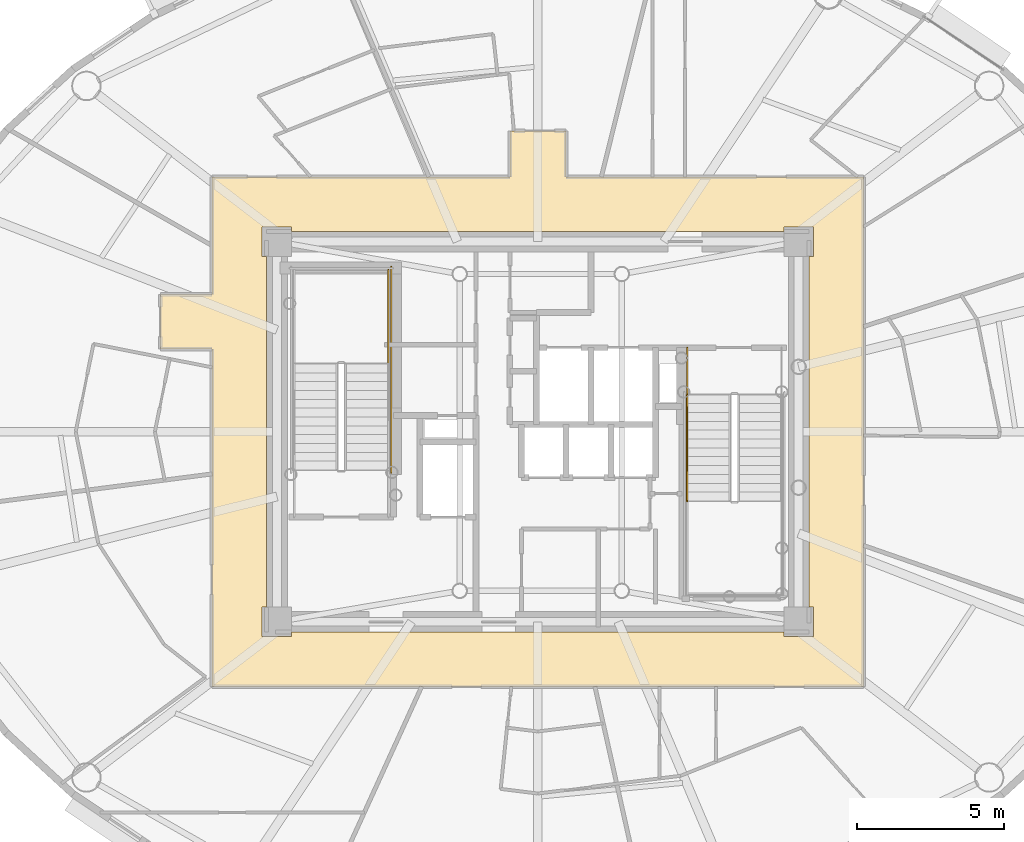
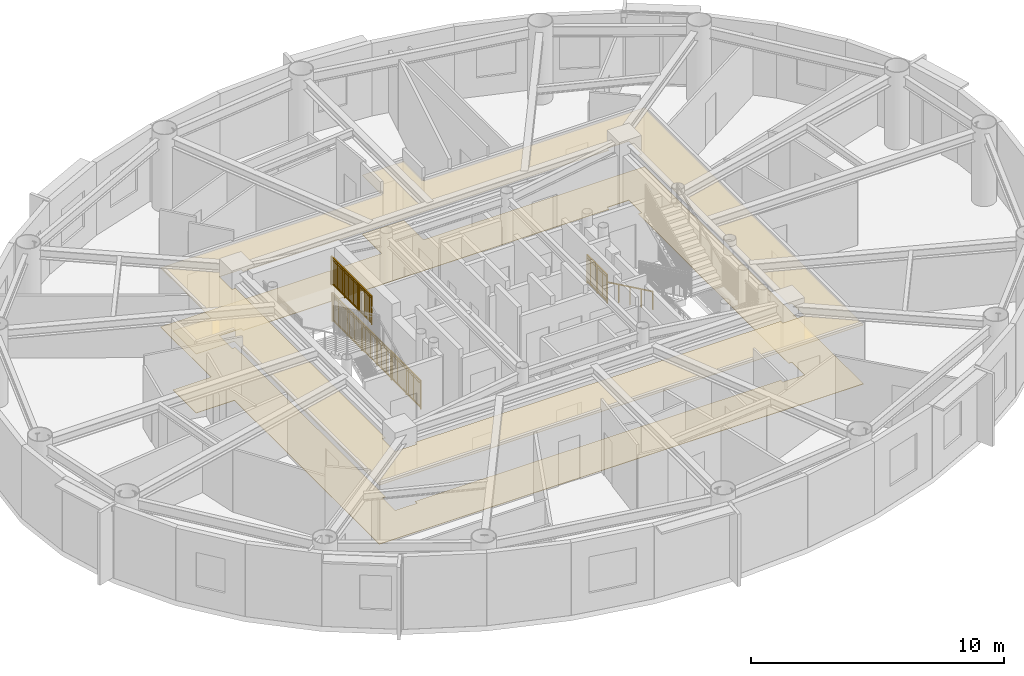
# One storey, part 15 of 17: 4 railings, 2 coverings.
"""IFC4 building model written with IfcOpenShell, lengths in metres."""

from ifc_helpers import new_model, si_unit, direction, frame, origin, origin_2d, place, context, subcontext, project, spatial, polyline, rectangle, outline, extrude, source, transform, mapped, material, layer, layer_set, type_object, element, save


model = new_model("IFC4")

# Units and contexts
model_context = context("Model", 3, precision=1e-05, world=origin(), true_north=direction((0.0, 1.0)))
body_context = subcontext(model_context, "Body", "Model", "MODEL_VIEW")
ifc_project = project(units=[si_unit("LENGTHUNIT", "METRE"), si_unit("AREAUNIT", "SQUARE_METRE"), si_unit("VOLUMEUNIT", "CUBIC_METRE"), si_unit("PLANEANGLEUNIT", "RADIAN"), si_unit("MASSUNIT", "GRAM", prefix="KILO")], contexts=[model_context])

# Site, building, storey
site_placement = place(None, origin())
site = spatial("IfcSite", under=ifc_project, at=site_placement, CompositionType="ELEMENT")
building_placement = place(site_placement, origin())
building = spatial("IfcBuilding", under=site, at=building_placement, Name="Linh Dai School and Residence Tower", CompositionType="ELEMENT")
storey_placement = place(building_placement, frame((0.0, 0.0, 303.0)))
storey = spatial("IfcBuildingStorey", under=building, at=storey_placement, Name="L75", CompositionType="ELEMENT", Elevation=303.0)

# Coverings
ifc_material_1 = material(Name="Mineral Fibre Acoustic Suspended Ceiling", Category="masonry")
ifc_layer_1 = layer(ifc_material_1, 0.02001953125)
ifc_layer_set_1 = layer_set([ifc_layer_1], Name="Mineral Fibre Acoustic Suspended Ceiling")
covering_type_1 = type_object("IfcCoveringType", Name="COV-CEIL-AC-20", PredefinedType="CEILING", material=ifc_layer_set_1)
covering_1_placement = place(storey_placement, frame((0.0, 0.0, 2.85009765625)))
element("IfcCovering", 1, at=covering_1_placement, inside=storey, type_object=covering_type_1, Name="L75 Residential Floor Corridor Suspended Ceiling", PredefinedType="CEILING", context=body_context, shape_type="SweptSolid", body=[
    extrude(outline(polyline([(23.199951171875, 31.64990234375), (24.949951171875, 31.64990234375), (24.949951171875, 35.64990234375), (35.050048828125, 35.64990234375), (35.050048828125, 37.199951171875), (36.949951171875, 37.199951171875), (36.949951171875, 35.64990234375), (47.050048828125, 35.64990234375), (47.050048828125, 18.35009765625), (24.949951171875, 18.35009765625), (24.949951171875, 29.800048828125), (23.199951171875, 29.800048828125), (23.199951171875, 31.64990234375)]), holes=[polyline([(27.64990234375, 33.800048828125), (27.64990234375, 33.949951171875), (26.64990234375, 33.949951171875), (26.64990234375, 32.949951171875), (26.800048828125, 32.949951171875), (26.800048828125, 21.050048828125), (26.64990234375, 21.050048828125), (26.64990234375, 20.050048828125), (27.64990234375, 20.050048828125), (27.64990234375, 20.199951171875), (44.35009765625, 20.199951171875), (44.35009765625, 20.050048828125), (45.35009765625, 20.050048828125), (45.35009765625, 21.050048828125), (45.199951171875, 21.050048828125), (45.199951171875, 32.949951171875), (45.35009765625, 32.949951171875), (45.35009765625, 33.949951171875), (44.35009765625, 33.949951171875), (44.35009765625, 33.800048828125), (27.64990234375, 33.800048828125)])]), origin(), (0.0, 0.0, 1.0), 0.02001953125),
])
ifc_material_2 = material(Name="Polished Terrazzo Floor Finish", Category="masonry")
ifc_layer_2 = layer(ifc_material_2, 0.02490234375)
ifc_layer_set_2 = layer_set([ifc_layer_2], Name="Polished Terrazzo Floor Finish")
covering_type_2 = type_object("IfcCoveringType", Name="COV-FLR-TRZ-25", PredefinedType="FLOORING", material=ifc_layer_set_2)
covering_2_placement = place(storey_placement, origin())
element("IfcCovering", 2, at=covering_2_placement, inside=storey, type_object=covering_type_2, Name="L75 Residential Floor Corridor Floor Finish", PredefinedType="FLOORING", context=body_context, shape_type="SweptSolid", body=[
    extrude(outline(polyline([(23.199951171875, 31.64990234375), (24.949951171875, 31.64990234375), (24.949951171875, 35.64990234375), (35.050048828125, 35.64990234375), (35.050048828125, 37.199951171875), (36.949951171875, 37.199951171875), (36.949951171875, 35.64990234375), (47.050048828125, 35.64990234375), (47.050048828125, 18.35009765625), (24.949951171875, 18.35009765625), (24.949951171875, 29.800048828125), (23.199951171875, 29.800048828125), (23.199951171875, 31.64990234375)]), holes=[polyline([(27.64990234375, 33.800048828125), (27.64990234375, 33.949951171875), (26.64990234375, 33.949951171875), (26.64990234375, 32.949951171875), (26.800048828125, 32.949951171875), (26.800048828125, 21.050048828125), (26.64990234375, 21.050048828125), (26.64990234375, 20.050048828125), (27.64990234375, 20.050048828125), (27.64990234375, 20.199951171875), (44.35009765625, 20.199951171875), (44.35009765625, 20.050048828125), (45.35009765625, 20.050048828125), (45.35009765625, 21.050048828125), (45.199951171875, 21.050048828125), (45.199951171875, 32.949951171875), (45.35009765625, 32.949951171875), (45.35009765625, 33.949951171875), (44.35009765625, 33.949951171875), (44.35009765625, 33.800048828125), (27.64990234375, 33.800048828125)])]), origin(), (0.0, 0.0, 1.0), 0.02001953125),
])

# Railings
ifc_material_3 = material(Name="Structural Steel S355JR", Category="steel")
railing_type_1 = type_object("IfcRailingType", Name="RL-ST-GUARD-1400", PredefinedType="GUARDRAIL", material=ifc_material_3)
shared_shape_1 = source(origin(), body_context, "Body", "SweptSolid", [
    extrude(rectangle(XDim=0.048095703125, YDim=0.048095703125, at=origin_2d()), frame((0.0, 0.0, 1.3759765625), z_axis=(0.0, 1.0, 0.0), x_axis=(-1.0, 0.0, 0.0)), (0.0, 0.0, 1.0), 7.0),
    extrude(rectangle(XDim=0.048095703125, YDim=0.048095703125, at=origin_2d()), frame((0.0, 0.0, 0.10009765625), z_axis=(0.0, 1.0, 0.0), x_axis=(-1.0, 0.0, 0.0)), (0.0, 0.0, 1.0), 7.0),
    extrude(rectangle(XDim=0.030029296875, YDim=0.030029296875, at=origin_2d()), frame((0.0, 0.0, 1.239990234375), z_axis=(0.0, 1.0, 0.0), x_axis=(-1.0, 0.0, 0.0)), (0.0, 0.0, 1.0), 7.0),
    extrude(rectangle(XDim=0.02001953125, YDim=0.02001953125, at=origin_2d()), frame((0.0, 0.09716796875, 0.10009765625)), (0.0, 0.0, 1.0), 1.251708984375),
    extrude(rectangle(XDim=0.02001953125, YDim=0.02001953125, at=origin_2d()), frame((0.0, 0.1943359375, 0.10009765625)), (0.0, 0.0, 1.0), 1.251708984375),
    extrude(rectangle(XDim=0.02001953125, YDim=0.02001953125, at=origin_2d()), frame((0.0, 0.291748046875, 0.10009765625)), (0.0, 0.0, 1.0), 1.251708984375),
    extrude(rectangle(XDim=0.02001953125, YDim=0.02001953125, at=origin_2d()), frame((0.0, 0.388916015625, 0.10009765625)), (0.0, 0.0, 1.0), 1.251708984375),
    extrude(rectangle(XDim=0.02001953125, YDim=0.02001953125, at=origin_2d()), frame((0.0, 0.486083984375, 0.10009765625)), (0.0, 0.0, 1.0), 1.251708984375),
    extrude(rectangle(XDim=0.02001953125, YDim=0.02001953125, at=origin_2d()), frame((0.0, 0.583251953125, 0.10009765625)), (0.0, 0.0, 1.0), 1.251708984375),
    extrude(rectangle(XDim=0.02001953125, YDim=0.02001953125, at=origin_2d()), frame((0.0, 0.6806640625, 0.10009765625)), (0.0, 0.0, 1.0), 1.251708984375),
    extrude(rectangle(XDim=0.02001953125, YDim=0.02001953125, at=origin_2d()), frame((0.0, 0.77783203125, 0.10009765625)), (0.0, 0.0, 1.0), 1.251708984375),
    extrude(rectangle(XDim=0.02001953125, YDim=0.02001953125, at=origin_2d()), frame((0.0, 0.875, 0.10009765625)), (0.0, 0.0, 1.0), 1.251708984375),
    extrude(rectangle(XDim=0.02001953125, YDim=0.02001953125, at=origin_2d()), frame((0.0, 0.97216796875, 0.10009765625)), (0.0, 0.0, 1.0), 1.251708984375),
    extrude(rectangle(XDim=0.02001953125, YDim=0.02001953125, at=origin_2d()), frame((0.0, 1.0693359375, 0.10009765625)), (0.0, 0.0, 1.0), 1.251708984375),
    extrude(rectangle(XDim=0.02001953125, YDim=0.02001953125, at=origin_2d()), frame((0.0, 1.263916015625, 0.10009765625)), (0.0, 0.0, 1.0), 1.251708984375),
    extrude(rectangle(XDim=0.02001953125, YDim=0.02001953125, at=origin_2d()), frame((0.0, 1.361083984375, 0.10009765625)), (0.0, 0.0, 1.0), 1.251708984375),
    extrude(rectangle(XDim=0.02001953125, YDim=0.02001953125, at=origin_2d()), frame((0.0, 1.458251953125, 0.10009765625)), (0.0, 0.0, 1.0), 1.251708984375),
    extrude(rectangle(XDim=0.02001953125, YDim=0.02001953125, at=origin_2d()), frame((0.0, 1.5556640625, 0.10009765625)), (0.0, 0.0, 1.0), 1.251708984375),
    extrude(rectangle(XDim=0.02001953125, YDim=0.02001953125, at=origin_2d()), frame((0.0, 1.65283203125, 0.10009765625)), (0.0, 0.0, 1.0), 1.251708984375),
    extrude(rectangle(XDim=0.02001953125, YDim=0.02001953125, at=origin_2d()), frame((0.0, 1.75, 0.10009765625)), (0.0, 0.0, 1.0), 1.251708984375),
    extrude(rectangle(XDim=0.02001953125, YDim=0.02001953125, at=origin_2d()), frame((0.0, 1.84716796875, 0.10009765625)), (0.0, 0.0, 1.0), 1.251708984375),
    extrude(rectangle(XDim=0.02001953125, YDim=0.02001953125, at=origin_2d()), frame((0.0, 1.9443359375, 0.10009765625)), (0.0, 0.0, 1.0), 1.251708984375),
    extrude(rectangle(XDim=0.02001953125, YDim=0.02001953125, at=origin_2d()), frame((0.0, 2.041748046875, 0.10009765625)), (0.0, 0.0, 1.0), 1.251708984375),
    extrude(rectangle(XDim=0.02001953125, YDim=0.02001953125, at=origin_2d()), frame((0.0, 2.138916015625, 0.10009765625)), (0.0, 0.0, 1.0), 1.251708984375),
    extrude(rectangle(XDim=0.02001953125, YDim=0.02001953125, at=origin_2d()), frame((0.0, 2.236083984375, 0.10009765625)), (0.0, 0.0, 1.0), 1.251708984375),
    extrude(rectangle(XDim=0.02001953125, YDim=0.02001953125, at=origin_2d()), frame((0.0, 2.4306640625, 0.10009765625)), (0.0, 0.0, 1.0), 1.251708984375),
    extrude(rectangle(XDim=0.02001953125, YDim=0.02001953125, at=origin_2d()), frame((0.0, 2.52783203125, 0.10009765625)), (0.0, 0.0, 1.0), 1.251708984375),
    extrude(rectangle(XDim=0.02001953125, YDim=0.02001953125, at=origin_2d()), frame((0.0, 2.625, 0.10009765625)), (0.0, 0.0, 1.0), 1.251708984375),
    extrude(rectangle(XDim=0.02001953125, YDim=0.02001953125, at=origin_2d()), frame((0.0, 2.72216796875, 0.10009765625)), (0.0, 0.0, 1.0), 1.251708984375),
    extrude(rectangle(XDim=0.02001953125, YDim=0.02001953125, at=origin_2d()), frame((0.0, 2.8193359375, 0.10009765625)), (0.0, 0.0, 1.0), 1.251708984375),
    extrude(rectangle(XDim=0.02001953125, YDim=0.02001953125, at=origin_2d()), frame((0.0, 2.916748046875, 0.10009765625)), (0.0, 0.0, 1.0), 1.251708984375),
    extrude(rectangle(XDim=0.02001953125, YDim=0.02001953125, at=origin_2d()), frame((0.0, 3.013916015625, 0.10009765625)), (0.0, 0.0, 1.0), 1.251708984375),
    extrude(rectangle(XDim=0.02001953125, YDim=0.02001953125, at=origin_2d()), frame((0.0, 3.111083984375, 0.10009765625)), (0.0, 0.0, 1.0), 1.251708984375),
    extrude(rectangle(XDim=0.02001953125, YDim=0.02001953125, at=origin_2d()), frame((0.0, 3.208251953125, 0.10009765625)), (0.0, 0.0, 1.0), 1.251708984375),
    extrude(rectangle(XDim=0.02001953125, YDim=0.02001953125, at=origin_2d()), frame((0.0, 3.3056640625, 0.10009765625)), (0.0, 0.0, 1.0), 1.251708984375),
    extrude(rectangle(XDim=0.02001953125, YDim=0.02001953125, at=origin_2d()), frame((0.0, 3.40283203125, 0.10009765625)), (0.0, 0.0, 1.0), 1.251708984375),
    extrude(rectangle(XDim=0.02001953125, YDim=0.02001953125, at=origin_2d()), frame((0.0, 3.59716796875, 0.10009765625)), (0.0, 0.0, 1.0), 1.251708984375),
    extrude(rectangle(XDim=0.02001953125, YDim=0.02001953125, at=origin_2d()), frame((0.0, 3.6943359375, 0.10009765625)), (0.0, 0.0, 1.0), 1.251708984375),
    extrude(rectangle(XDim=0.02001953125, YDim=0.02001953125, at=origin_2d()), frame((0.0, 3.791748046875, 0.10009765625)), (0.0, 0.0, 1.0), 1.251708984375),
    extrude(rectangle(XDim=0.02001953125, YDim=0.02001953125, at=origin_2d()), frame((0.0, 3.888916015625, 0.10009765625)), (0.0, 0.0, 1.0), 1.251708984375),
    extrude(rectangle(XDim=0.02001953125, YDim=0.02001953125, at=origin_2d()), frame((0.0, 3.986083984375, 0.10009765625)), (0.0, 0.0, 1.0), 1.251708984375),
    extrude(rectangle(XDim=0.02001953125, YDim=0.02001953125, at=origin_2d()), frame((0.0, 4.083251953125, 0.10009765625)), (0.0, 0.0, 1.0), 1.251708984375),
    extrude(rectangle(XDim=0.02001953125, YDim=0.02001953125, at=origin_2d()), frame((0.0, 4.1806640625, 0.10009765625)), (0.0, 0.0, 1.0), 1.251708984375),
    extrude(rectangle(XDim=0.02001953125, YDim=0.02001953125, at=origin_2d()), frame((0.0, 4.27783203125, 0.10009765625)), (0.0, 0.0, 1.0), 1.251708984375),
    extrude(rectangle(XDim=0.02001953125, YDim=0.02001953125, at=origin_2d()), frame((0.0, 4.375, 0.10009765625)), (0.0, 0.0, 1.0), 1.251708984375),
    extrude(rectangle(XDim=0.02001953125, YDim=0.02001953125, at=origin_2d()), frame((0.0, 4.47216796875, 0.10009765625)), (0.0, 0.0, 1.0), 1.251708984375),
    extrude(rectangle(XDim=0.02001953125, YDim=0.02001953125, at=origin_2d()), frame((0.0, 4.5693359375, 0.10009765625)), (0.0, 0.0, 1.0), 1.251708984375),
    extrude(rectangle(XDim=0.02001953125, YDim=0.02001953125, at=origin_2d()), frame((0.0, 4.763916015625, 0.10009765625)), (0.0, 0.0, 1.0), 1.251708984375),
    extrude(rectangle(XDim=0.02001953125, YDim=0.02001953125, at=origin_2d()), frame((0.0, 4.861083984375, 0.10009765625)), (0.0, 0.0, 1.0), 1.251708984375),
    extrude(rectangle(XDim=0.02001953125, YDim=0.02001953125, at=origin_2d()), frame((0.0, 4.958251953125, 0.10009765625)), (0.0, 0.0, 1.0), 1.251708984375),
    extrude(rectangle(XDim=0.02001953125, YDim=0.02001953125, at=origin_2d()), frame((0.0, 5.0556640625, 0.10009765625)), (0.0, 0.0, 1.0), 1.251708984375),
    extrude(rectangle(XDim=0.02001953125, YDim=0.02001953125, at=origin_2d()), frame((0.0, 5.15283203125, 0.10009765625)), (0.0, 0.0, 1.0), 1.251708984375),
    extrude(rectangle(XDim=0.02001953125, YDim=0.02001953125, at=origin_2d()), frame((0.0, 5.25, 0.10009765625)), (0.0, 0.0, 1.0), 1.251708984375),
    extrude(rectangle(XDim=0.02001953125, YDim=0.02001953125, at=origin_2d()), frame((0.0, 5.34716796875, 0.10009765625)), (0.0, 0.0, 1.0), 1.251708984375),
    extrude(rectangle(XDim=0.02001953125, YDim=0.02001953125, at=origin_2d()), frame((0.0, 5.4443359375, 0.10009765625)), (0.0, 0.0, 1.0), 1.251708984375),
    extrude(rectangle(XDim=0.02001953125, YDim=0.02001953125, at=origin_2d()), frame((0.0, 5.541748046875, 0.10009765625)), (0.0, 0.0, 1.0), 1.251708984375),
    extrude(rectangle(XDim=0.02001953125, YDim=0.02001953125, at=origin_2d()), frame((0.0, 5.638916015625, 0.10009765625)), (0.0, 0.0, 1.0), 1.251708984375),
    extrude(rectangle(XDim=0.02001953125, YDim=0.02001953125, at=origin_2d()), frame((0.0, 5.736083984375, 0.10009765625)), (0.0, 0.0, 1.0), 1.251708984375),
    extrude(rectangle(XDim=0.02001953125, YDim=0.02001953125, at=origin_2d()), frame((0.0, 5.9306640625, 0.10009765625)), (0.0, 0.0, 1.0), 1.251708984375),
    extrude(rectangle(XDim=0.02001953125, YDim=0.02001953125, at=origin_2d()), frame((0.0, 6.02783203125, 0.10009765625)), (0.0, 0.0, 1.0), 1.251708984375),
    extrude(rectangle(XDim=0.02001953125, YDim=0.02001953125, at=origin_2d()), frame((0.0, 6.125, 0.10009765625)), (0.0, 0.0, 1.0), 1.251708984375),
    extrude(rectangle(XDim=0.02001953125, YDim=0.02001953125, at=origin_2d()), frame((0.0, 6.22216796875, 0.10009765625)), (0.0, 0.0, 1.0), 1.251708984375),
    extrude(rectangle(XDim=0.02001953125, YDim=0.02001953125, at=origin_2d()), frame((0.0, 6.3193359375, 0.10009765625)), (0.0, 0.0, 1.0), 1.251708984375),
    extrude(rectangle(XDim=0.02001953125, YDim=0.02001953125, at=origin_2d()), frame((0.0, 6.416748046875, 0.10009765625)), (0.0, 0.0, 1.0), 1.251708984375),
    extrude(rectangle(XDim=0.02001953125, YDim=0.02001953125, at=origin_2d()), frame((0.0, 6.513916015625, 0.10009765625)), (0.0, 0.0, 1.0), 1.251708984375),
    extrude(rectangle(XDim=0.02001953125, YDim=0.02001953125, at=origin_2d()), frame((0.0, 6.611083984375, 0.10009765625)), (0.0, 0.0, 1.0), 1.251708984375),
    extrude(rectangle(XDim=0.02001953125, YDim=0.02001953125, at=origin_2d()), frame((0.0, 6.708251953125, 0.10009765625)), (0.0, 0.0, 1.0), 1.251708984375),
    extrude(rectangle(XDim=0.02001953125, YDim=0.02001953125, at=origin_2d()), frame((0.0, 6.8056640625, 0.10009765625)), (0.0, 0.0, 1.0), 1.251708984375),
    extrude(rectangle(XDim=0.02001953125, YDim=0.02001953125, at=origin_2d()), frame((0.0, 6.90283203125, 0.10009765625)), (0.0, 0.0, 1.0), 1.251708984375),
    extrude(rectangle(XDim=0.0419921875, YDim=0.0419921875, at=origin_2d()), origin(), (0.0, 0.0, 1.0), 1.3759765625),
    extrude(rectangle(XDim=0.0419921875, YDim=0.0419921875, at=origin_2d()), frame((0.0, 1.166748046875, 0.0)), (0.0, 0.0, 1.0), 1.3759765625),
    extrude(rectangle(XDim=0.0419921875, YDim=0.0419921875, at=origin_2d()), frame((0.0, 2.333251953125, 0.0)), (0.0, 0.0, 1.0), 1.3759765625),
    extrude(rectangle(XDim=0.0419921875, YDim=0.0419921875, at=origin_2d()), frame((0.0, 3.5, 0.0)), (0.0, 0.0, 1.0), 1.3759765625),
    extrude(rectangle(XDim=0.0419921875, YDim=0.0419921875, at=origin_2d()), frame((0.0, 4.666748046875, 0.0)), (0.0, 0.0, 1.0), 1.3759765625),
    extrude(rectangle(XDim=0.0419921875, YDim=0.0419921875, at=origin_2d()), frame((0.0, 5.833251953125, 0.0)), (0.0, 0.0, 1.0), 1.3759765625),
    extrude(rectangle(XDim=0.0419921875, YDim=0.0419921875, at=origin_2d()), frame((0.0, 7.0, 0.0)), (0.0, 0.0, 1.0), 1.3759765625),
])
railing_1_placement = place(storey_placement, frame((31.030029296875, 25.60009765625, 0.0)))
element("IfcRailing", 3, at=railing_1_placement, inside=storey, type_object=railing_type_1, Name="L75 ST1 stair guard 10", PredefinedType="GUARDRAIL", context=body_context, shape_type="MappedRepresentation", body=[
    mapped(shared_shape_1, transform((0.0, 0.0, 0.0), x_axis=(1.0, 0.0, 0.0), y_axis=(0.0, 1.0, 0.0), z_axis=(0.0, 0.0, 1.0), scale=1.0)),
])
shared_shape_2 = source(origin(), body_context, "Body", "SweptSolid", [
    extrude(rectangle(XDim=0.048095703125, YDim=0.048095703125, at=origin_2d()), frame((0.0, 0.0, 1.3759765625), z_axis=(0.0, 1.0, 0.0), x_axis=(-1.0, 0.0, 0.0)), (0.0, 0.0, 1.0), 3.199951171875),
    extrude(rectangle(XDim=0.048095703125, YDim=0.048095703125, at=origin_2d()), frame((0.0, 0.0, 0.10009765625), z_axis=(0.0, 1.0, 0.0), x_axis=(-1.0, 0.0, 0.0)), (0.0, 0.0, 1.0), 3.199951171875),
    extrude(rectangle(XDim=0.030029296875, YDim=0.030029296875, at=origin_2d()), frame((0.0, 0.0, 1.239990234375), z_axis=(0.0, 1.0, 0.0), x_axis=(-1.0, 0.0, 0.0)), (0.0, 0.0, 1.0), 3.199951171875),
    extrude(rectangle(XDim=0.02001953125, YDim=0.02001953125, at=origin_2d()), frame((0.0, 0.096923828125, 0.10009765625)), (0.0, 0.0, 1.0), 1.251708984375),
    extrude(rectangle(XDim=0.02001953125, YDim=0.02001953125, at=origin_2d()), frame((0.0, 0.19384765625, 0.10009765625)), (0.0, 0.0, 1.0), 1.251708984375),
    extrude(rectangle(XDim=0.02001953125, YDim=0.02001953125, at=origin_2d()), frame((0.0, 0.291015625, 0.10009765625)), (0.0, 0.0, 1.0), 1.251708984375),
    extrude(rectangle(XDim=0.02001953125, YDim=0.02001953125, at=origin_2d()), frame((0.0, 0.387939453125, 0.10009765625)), (0.0, 0.0, 1.0), 1.251708984375),
    extrude(rectangle(XDim=0.02001953125, YDim=0.02001953125, at=origin_2d()), frame((0.0, 0.48486328125, 0.10009765625)), (0.0, 0.0, 1.0), 1.251708984375),
    extrude(rectangle(XDim=0.02001953125, YDim=0.02001953125, at=origin_2d()), frame((0.0, 0.581787109375, 0.10009765625)), (0.0, 0.0, 1.0), 1.251708984375),
    extrude(rectangle(XDim=0.02001953125, YDim=0.02001953125, at=origin_2d()), frame((0.0, 0.6787109375, 0.10009765625)), (0.0, 0.0, 1.0), 1.251708984375),
    extrude(rectangle(XDim=0.02001953125, YDim=0.02001953125, at=origin_2d()), frame((0.0, 0.775634765625, 0.10009765625)), (0.0, 0.0, 1.0), 1.251708984375),
    extrude(rectangle(XDim=0.02001953125, YDim=0.02001953125, at=origin_2d()), frame((0.0, 0.872802734375, 0.10009765625)), (0.0, 0.0, 1.0), 1.251708984375),
    extrude(rectangle(XDim=0.02001953125, YDim=0.02001953125, at=origin_2d()), frame((0.0, 0.9697265625, 0.10009765625)), (0.0, 0.0, 1.0), 1.251708984375),
    extrude(rectangle(XDim=0.02001953125, YDim=0.02001953125, at=origin_2d()), frame((0.0, 1.16357421875, 0.10009765625)), (0.0, 0.0, 1.0), 1.251708984375),
    extrude(rectangle(XDim=0.02001953125, YDim=0.02001953125, at=origin_2d()), frame((0.0, 1.260498046875, 0.10009765625)), (0.0, 0.0, 1.0), 1.251708984375),
    extrude(rectangle(XDim=0.02001953125, YDim=0.02001953125, at=origin_2d()), frame((0.0, 1.357666015625, 0.10009765625)), (0.0, 0.0, 1.0), 1.251708984375),
    extrude(rectangle(XDim=0.02001953125, YDim=0.02001953125, at=origin_2d()), frame((0.0, 1.45458984375, 0.10009765625)), (0.0, 0.0, 1.0), 1.251708984375),
    extrude(rectangle(XDim=0.02001953125, YDim=0.02001953125, at=origin_2d()), frame((0.0, 1.551513671875, 0.10009765625)), (0.0, 0.0, 1.0), 1.251708984375),
    extrude(rectangle(XDim=0.02001953125, YDim=0.02001953125, at=origin_2d()), frame((0.0, 1.6484375, 0.10009765625)), (0.0, 0.0, 1.0), 1.251708984375),
    extrude(rectangle(XDim=0.02001953125, YDim=0.02001953125, at=origin_2d()), frame((0.0, 1.745361328125, 0.10009765625)), (0.0, 0.0, 1.0), 1.251708984375),
    extrude(rectangle(XDim=0.02001953125, YDim=0.02001953125, at=origin_2d()), frame((0.0, 1.84228515625, 0.10009765625)), (0.0, 0.0, 1.0), 1.251708984375),
    extrude(rectangle(XDim=0.02001953125, YDim=0.02001953125, at=origin_2d()), frame((0.0, 1.939453125, 0.10009765625)), (0.0, 0.0, 1.0), 1.251708984375),
    extrude(rectangle(XDim=0.02001953125, YDim=0.02001953125, at=origin_2d()), frame((0.0, 2.036376953125, 0.10009765625)), (0.0, 0.0, 1.0), 1.251708984375),
    extrude(rectangle(XDim=0.02001953125, YDim=0.02001953125, at=origin_2d()), frame((0.0, 2.230224609375, 0.10009765625)), (0.0, 0.0, 1.0), 1.251708984375),
    extrude(rectangle(XDim=0.02001953125, YDim=0.02001953125, at=origin_2d()), frame((0.0, 2.3271484375, 0.10009765625)), (0.0, 0.0, 1.0), 1.251708984375),
    extrude(rectangle(XDim=0.02001953125, YDim=0.02001953125, at=origin_2d()), frame((0.0, 2.42431640625, 0.10009765625)), (0.0, 0.0, 1.0), 1.251708984375),
    extrude(rectangle(XDim=0.02001953125, YDim=0.02001953125, at=origin_2d()), frame((0.0, 2.521240234375, 0.10009765625)), (0.0, 0.0, 1.0), 1.251708984375),
    extrude(rectangle(XDim=0.02001953125, YDim=0.02001953125, at=origin_2d()), frame((0.0, 2.6181640625, 0.10009765625)), (0.0, 0.0, 1.0), 1.251708984375),
    extrude(rectangle(XDim=0.02001953125, YDim=0.02001953125, at=origin_2d()), frame((0.0, 2.715087890625, 0.10009765625)), (0.0, 0.0, 1.0), 1.251708984375),
    extrude(rectangle(XDim=0.02001953125, YDim=0.02001953125, at=origin_2d()), frame((0.0, 2.81201171875, 0.10009765625)), (0.0, 0.0, 1.0), 1.251708984375),
    extrude(rectangle(XDim=0.02001953125, YDim=0.02001953125, at=origin_2d()), frame((0.0, 2.908935546875, 0.10009765625)), (0.0, 0.0, 1.0), 1.251708984375),
    extrude(rectangle(XDim=0.02001953125, YDim=0.02001953125, at=origin_2d()), frame((0.0, 3.006103515625, 0.10009765625)), (0.0, 0.0, 1.0), 1.251708984375),
    extrude(rectangle(XDim=0.02001953125, YDim=0.02001953125, at=origin_2d()), frame((0.0, 3.10302734375, 0.10009765625)), (0.0, 0.0, 1.0), 1.251708984375),
    extrude(rectangle(XDim=0.0419921875, YDim=0.0419921875, at=origin_2d()), origin(), (0.0, 0.0, 1.0), 1.3759765625),
    extrude(rectangle(XDim=0.0419921875, YDim=0.0419921875, at=origin_2d()), frame((0.0, 1.066650390625, 0.0)), (0.0, 0.0, 1.0), 1.3759765625),
    extrude(rectangle(XDim=0.0419921875, YDim=0.0419921875, at=origin_2d()), frame((0.0, 2.13330078125, 0.0)), (0.0, 0.0, 1.0), 1.3759765625),
    extrude(rectangle(XDim=0.0419921875, YDim=0.0419921875, at=origin_2d()), frame((0.0, 3.199951171875, 0.0)), (0.0, 0.0, 1.0), 1.3759765625),
])
railing_2_placement = place(storey_placement, frame((30.929931640625, 29.300048828125, 1.875)))
element("IfcRailing", 4, at=railing_2_placement, inside=storey, type_object=railing_type_1, Name="L75 ST1 stair guard 3", PredefinedType="GUARDRAIL", context=body_context, shape_type="MappedRepresentation", body=[
    mapped(shared_shape_2, transform((0.0, 0.0, 0.0), x_axis=(1.0, 0.0, 0.0), y_axis=(0.0, 1.0, 0.0), z_axis=(0.0, 0.0, 1.0), scale=1.0)),
])
ifc_material_4 = material(Name="Brushed Stainless Steel Handrail", Category="steel")
railing_type_2 = type_object("IfcRailingType", Name="RL-ST-HANDRAIL-900", PredefinedType="HANDRAIL", material=ifc_material_4)
shared_shape_3 = source(origin(), body_context, "Body", "SweptSolid", [
    extrude(rectangle(XDim=0.048095703125, YDim=0.048095703125, at=origin_2d()), frame((0.0, 0.0, 0.8759765625), z_axis=(0.0, -0.901262522062, 0.433273431364), x_axis=(1.0, 0.0, 0.0)), (0.0, 0.0, 1.0), 3.994384765625),
    extrude(rectangle(XDim=0.0419921875, YDim=0.0419921875, at=origin_2d()), origin(), (0.0, 0.0, 1.0), 0.8759765625),
    extrude(rectangle(XDim=0.0419921875, YDim=0.0419921875, at=origin_2d()), frame((0.0, -0.89990234375, 0.4326171875)), (0.0, 0.0, 1.0), 0.8759765625),
    extrude(rectangle(XDim=0.0419921875, YDim=0.0419921875, at=origin_2d()), frame((0.0, -1.800048828125, 0.865234375)), (0.0, 0.0, 1.0), 0.8759765625),
    extrude(rectangle(XDim=0.0419921875, YDim=0.0419921875, at=origin_2d()), frame((0.0, -2.7001953125, 1.298095703125)), (0.0, 0.0, 1.0), 0.8759765625),
    extrude(rectangle(XDim=0.0419921875, YDim=0.0419921875, at=origin_2d()), frame((0.0, -3.60009765625, 1.730712890625)), (0.0, 0.0, 1.0), 0.8759765625),
])
railing_3_placement = place(storey_placement, frame((41.070068359375, 28.25, 0.144287109375)))
element("IfcRailing", 5, at=railing_3_placement, inside=storey, type_object=railing_type_2, Name="L75 ST2 stair handrail 1", PredefinedType="HANDRAIL", context=body_context, shape_type="MappedRepresentation", body=[
    mapped(shared_shape_3, transform((0.0, 0.0, 0.0), x_axis=(1.0, 0.0, 0.0), y_axis=(0.0, 1.0, 0.0), z_axis=(0.0, 0.0, 1.0), scale=1.0)),
])
shared_shape_4 = source(origin(), body_context, "Body", "SweptSolid", [
    extrude(rectangle(XDim=0.048095703125, YDim=0.048095703125, at=origin_2d()), frame((0.0, 0.0, 1.3759765625), z_axis=(0.0, -1.0, 0.0), x_axis=(1.0, 0.0, 0.0)), (0.0, 0.0, 1.0), 1.60009765625),
    extrude(rectangle(XDim=0.048095703125, YDim=0.048095703125, at=origin_2d()), frame((0.0, 0.0, 0.10009765625), z_axis=(0.0, -1.0, 0.0), x_axis=(1.0, 0.0, 0.0)), (0.0, 0.0, 1.0), 1.60009765625),
    extrude(rectangle(XDim=0.030029296875, YDim=0.030029296875, at=origin_2d()), frame((0.0, 0.0, 1.239990234375), z_axis=(0.0, -1.0, 0.0), x_axis=(1.0, 0.0, 0.0)), (0.0, 0.0, 1.0), 1.60009765625),
    extrude(rectangle(XDim=0.02001953125, YDim=0.02001953125, at=origin_2d()), frame((0.0, -0.09423828125, 0.10009765625)), (0.0, 0.0, 1.0), 1.251708984375),
    extrude(rectangle(XDim=0.02001953125, YDim=0.02001953125, at=origin_2d()), frame((0.0, -0.188232421875, 0.10009765625)), (0.0, 0.0, 1.0), 1.251708984375),
    extrude(rectangle(XDim=0.02001953125, YDim=0.02001953125, at=origin_2d()), frame((0.0, -0.282470703125, 0.10009765625)), (0.0, 0.0, 1.0), 1.251708984375),
    extrude(rectangle(XDim=0.02001953125, YDim=0.02001953125, at=origin_2d()), frame((0.0, -0.37646484375, 0.10009765625)), (0.0, 0.0, 1.0), 1.251708984375),
    extrude(rectangle(XDim=0.02001953125, YDim=0.02001953125, at=origin_2d()), frame((0.0, -0.470703125, 0.10009765625)), (0.0, 0.0, 1.0), 1.251708984375),
    extrude(rectangle(XDim=0.02001953125, YDim=0.02001953125, at=origin_2d()), frame((0.0, -0.564697265625, 0.10009765625)), (0.0, 0.0, 1.0), 1.251708984375),
    extrude(rectangle(XDim=0.02001953125, YDim=0.02001953125, at=origin_2d()), frame((0.0, -0.658935546875, 0.10009765625)), (0.0, 0.0, 1.0), 1.251708984375),
    extrude(rectangle(XDim=0.02001953125, YDim=0.02001953125, at=origin_2d()), frame((0.0, -0.7529296875, 0.10009765625)), (0.0, 0.0, 1.0), 1.251708984375),
    extrude(rectangle(XDim=0.02001953125, YDim=0.02001953125, at=origin_2d()), frame((0.0, -0.84716796875, 0.10009765625)), (0.0, 0.0, 1.0), 1.251708984375),
    extrude(rectangle(XDim=0.02001953125, YDim=0.02001953125, at=origin_2d()), frame((0.0, -0.941162109375, 0.10009765625)), (0.0, 0.0, 1.0), 1.251708984375),
    extrude(rectangle(XDim=0.02001953125, YDim=0.02001953125, at=origin_2d()), frame((0.0, -1.035400390625, 0.10009765625)), (0.0, 0.0, 1.0), 1.251708984375),
    extrude(rectangle(XDim=0.02001953125, YDim=0.02001953125, at=origin_2d()), frame((0.0, -1.12939453125, 0.10009765625)), (0.0, 0.0, 1.0), 1.251708984375),
    extrude(rectangle(XDim=0.02001953125, YDim=0.02001953125, at=origin_2d()), frame((0.0, -1.2236328125, 0.10009765625)), (0.0, 0.0, 1.0), 1.251708984375),
    extrude(rectangle(XDim=0.02001953125, YDim=0.02001953125, at=origin_2d()), frame((0.0, -1.317626953125, 0.10009765625)), (0.0, 0.0, 1.0), 1.251708984375),
    extrude(rectangle(XDim=0.02001953125, YDim=0.02001953125, at=origin_2d()), frame((0.0, -1.411865234375, 0.10009765625)), (0.0, 0.0, 1.0), 1.251708984375),
    extrude(rectangle(XDim=0.02001953125, YDim=0.02001953125, at=origin_2d()), frame((0.0, -1.505859375, 0.10009765625)), (0.0, 0.0, 1.0), 1.251708984375),
    extrude(rectangle(XDim=0.0419921875, YDim=0.0419921875, at=origin_2d()), origin(), (0.0, 0.0, 1.0), 1.3759765625),
    extrude(rectangle(XDim=0.0419921875, YDim=0.0419921875, at=origin_2d()), frame((0.0, -0.800048828125, 0.0)), (0.0, 0.0, 1.0), 1.3759765625),
    extrude(rectangle(XDim=0.0419921875, YDim=0.0419921875, at=origin_2d()), frame((0.0, -1.60009765625, 0.0)), (0.0, 0.0, 1.0), 1.3759765625),
])
railing_4_placement = place(storey_placement, frame((41.070068359375, 29.85009765625, 0.0)))
element("IfcRailing", 6, at=railing_4_placement, inside=storey, type_object=railing_type_1, Name="L75 ST2 stair guard 8", PredefinedType="GUARDRAIL", context=body_context, shape_type="MappedRepresentation", body=[
    mapped(shared_shape_4, transform((0.0, 0.0, 0.0), x_axis=(1.0, 0.0, 0.0), y_axis=(0.0, 1.0, 0.0), z_axis=(0.0, 0.0, 1.0), scale=1.0)),
])

save(model, "model.ifc")
